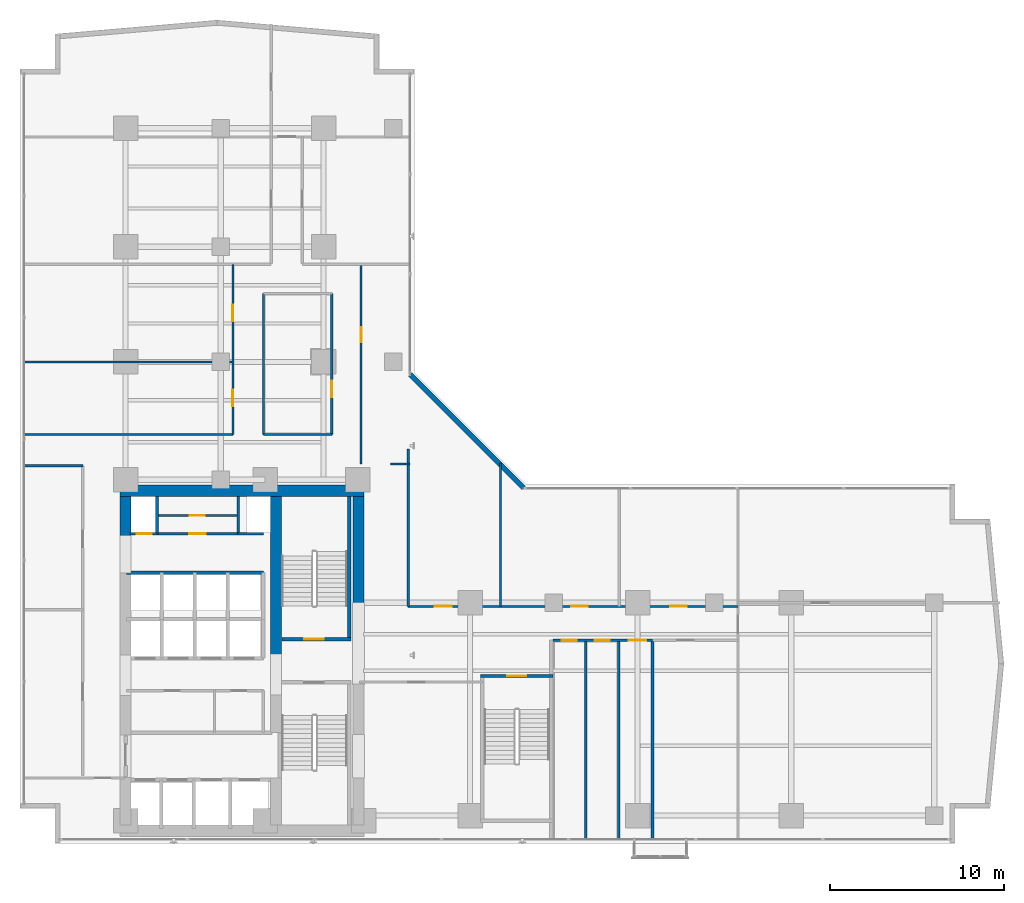
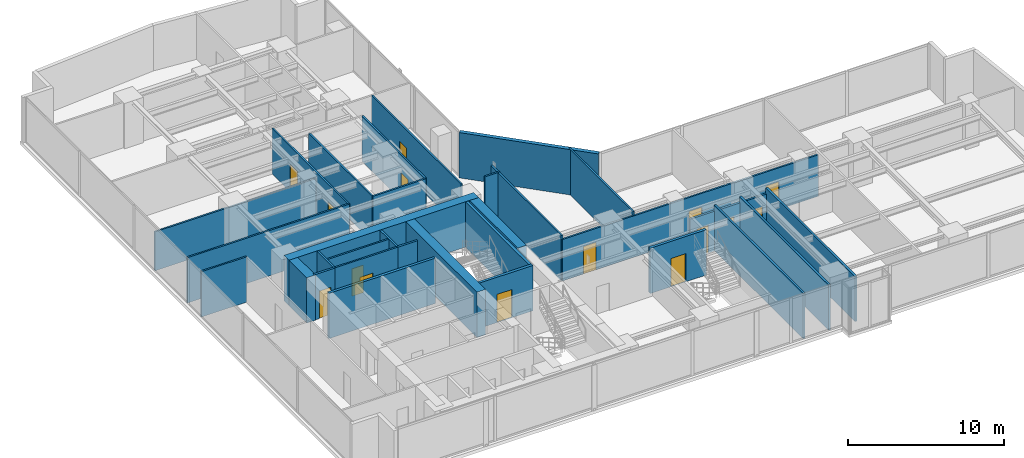
# One storey, part 21 of 27: 31 walls, 15 doors, 15 openings.
"""IFC4 building model written with IfcOpenShell, lengths in metres."""

from ifc_helpers import new_model, si_unit, direction, frame, frame_2d, origin, place, context, subcontext, project, spatial, rectangle, extrude, material, layer, layer_set, type_object, element, fill, save


model = new_model("IFC4")

# Units and contexts
model_context = context("Model", 3, precision=1e-05, world=origin(), true_north=direction((0.0, 1.0)))
body_context = subcontext(model_context, "Body", "Model", "MODEL_VIEW")
ifc_project = project(units=[si_unit("LENGTHUNIT", "METRE"), si_unit("AREAUNIT", "SQUARE_METRE"), si_unit("VOLUMEUNIT", "CUBIC_METRE"), si_unit("PLANEANGLEUNIT", "RADIAN"), si_unit("MASSUNIT", "GRAM", prefix="KILO")], contexts=[model_context])

# Site, building, storey
site_placement = place(None, origin())
site = spatial("IfcSite", under=ifc_project, at=site_placement, CompositionType="ELEMENT")
building_placement = place(site_placement, origin())
building = spatial("IfcBuilding", under=site, at=building_placement, Name="Kolvaren Waterfront Exchange", CompositionType="ELEMENT")
storey_placement = place(building_placement, frame((0.0, 0.0, 118.300048828125)))
storey = spatial("IfcBuildingStorey", under=building, at=storey_placement, Name="L30", CompositionType="ELEMENT", Elevation=118.300048828125)

# Wall
ifc_material_1 = material(Name="Precast concrete C40/50", Category="concrete")
ifc_layer_1 = layer(ifc_material_1, 0.280029296875, Name="Precast concrete C40/50")
ifc_layer_set_1 = layer_set([ifc_layer_1], Name="Precast concrete C40/50")
wall_type_1 = type_object("IfcWallType", Name="ARC-EXT-TERR-280", PredefinedType="SOLIDWALL", material=ifc_layer_set_1)
wall_1_placement = place(storey_placement, frame((30.284912109375, 23.97509765625, 0.0), z_axis=(0.0, 0.0, 1.0), x_axis=(-0.707106781187, 0.707106781187, 0.0)))
element("IfcWall", 1, at=wall_1_placement, inside=storey, type_object=wall_type_1, Name="L30 notched corner spandrel pier ELBOW", PredefinedType="SOLIDWALL", context=body_context, shape_type="SweptSolid", body=[
    extrude(rectangle(XDim=9.20654296875, YDim=0.280029296875, at=frame_2d((4.603271484375, 0.0))), origin(), (0.0, 0.0, 1.0), 3.5400390625),
])

# Wall, opening, door
ifc_layer_2 = layer(ifc_material_1, 0.199951171875, Name="Precast concrete C40/50")
ifc_layer_set_2 = layer_set([ifc_layer_2], Name="Precast concrete C40/50")
wall_type_2 = type_object("IfcWallType", Name="ARC-FIRE-200", PredefinedType="PARTITIONING", material=ifc_layer_set_2)
wall_2_placement = place(storey_placement, frame((16.409912109375, 15.300048828125, 0.0), z_axis=(0.0, 0.0, 1.0), x_axis=(1.0, 0.0, 0.0)))
wall_2 = element("IfcWall", 2, at=wall_2_placement, inside=storey, type_object=wall_type_2, Name="L30 interior wall PW-L30-ST2-THROAT-N", PredefinedType="PARTITIONING", context=body_context, shape_type="SweptSolid", body=[
    extrude(rectangle(XDim=3.9501953125, YDim=0.199951171875, at=frame_2d((1.97509765625, 0.0))), origin(), (0.0, 0.0, 1.0), 3.5400390625),
])
opening_1_placement = place(wall_2_placement, frame((1.293701171875, 0.0, 0.0)))
opening_1 = element("IfcOpeningElement", 3, at=opening_1_placement, cuts=wall_2, Name="Opening FD2", PredefinedType="OPENING", context=body_context, shape_type="SweptSolid", body=[
    extrude(rectangle(XDim=1.10009765625, YDim=2.199951171875, at=frame_2d((0.550048828125, 1.10009765625))), frame((0.0, 0.10986328125, 0.0), z_axis=(0.0, -1.0, 0.0), x_axis=(1.0, 0.0, 0.0)), (0.0, 0.0, 1.0), 0.219970703125),
])
ifc_material_2 = material(Name="Pressed steel smoke-seal fire door", Category="steel")
door_type_1 = type_object("IfcDoorType", Name="ARC-FD-1100", OperationType="NOTDEFINED", PredefinedType="DOOR", material=ifc_material_2)
door_1_placement = place(opening_1_placement, origin())
door_1 = element("IfcDoor", 4, at=door_1_placement, inside=storey, type_object=door_type_1, Name="L30 door DR-L30-ST2-IN (FD2)", OperationType="SINGLE_SWING_RIGHT", OverallHeight=2.199951171875, OverallWidth=1.10009765625, PredefinedType="DOOR", context=body_context, shape_type="SweptSolid", body=[
    extrude(rectangle(XDim=1.10009765625, YDim=2.199951171875, at=frame_2d((0.550048828125, 1.10009765625))), frame((0.0, 0.02490234375, 0.0), z_axis=(0.0, -1.0, 0.0), x_axis=(1.0, 0.0, 0.0)), (0.0, 0.0, 1.0), 0.050048828125),
])
fill(opening_1, door_1)

ifc_material_3 = material(Name="Acoustic gypsum steel stud", Category="steel")
ifc_layer_3 = layer(ifc_material_3, 0.125, Name="Acoustic gypsum steel stud")
ifc_layer_set_3 = layer_set([ifc_layer_3], Name="Acoustic gypsum steel stud")
wall_type_3 = type_object("IfcWallType", Name="ARC-PART-125", PredefinedType="PARTITIONING", material=ifc_layer_set_3)
wall_3_placement = place(storey_placement, frame((9.25, 21.35009765625, 0.0), z_axis=(0.0, 0.0, 1.0), x_axis=(1.0, 0.0, 0.0)))
wall_3 = element("IfcWall", 5, at=wall_3_placement, inside=storey, type_object=wall_type_3, Name="L30 interior wall PW-L30-SVC-EX-S", PredefinedType="PARTITIONING", context=body_context, shape_type="SweptSolid", body=[
    extrude(rectangle(XDim=4.64990234375, YDim=0.125, at=frame_2d((2.324951171875, 0.0))), origin(), (0.0, 0.0, 1.0), 3.5400390625),
])
opening_2_placement = place(wall_3_placement, frame((1.85009765625, 0.0, 0.0)))
opening_2 = element("IfcOpeningElement", 6, at=opening_2_placement, cuts=wall_3, Name="Opening D02", PredefinedType="OPENING", context=body_context, shape_type="SweptSolid", body=[
    extrude(rectangle(XDim=0.949951171875, YDim=2.14990234375, at=frame_2d((0.47509765625, 1.074951171875))), frame((0.0, 0.072509765625, 0.0), z_axis=(0.0, -1.0, 0.0), x_axis=(1.0, 0.0, 0.0)), (0.0, 0.0, 1.0), 0.14501953125),
])
ifc_material_4 = material(Name="Oak veneer acoustic timber", Category="wood")
door_type_2 = type_object("IfcDoorType", Name="ARC-DR-950", OperationType="NOTDEFINED", PredefinedType="DOOR", material=ifc_material_4)
door_2_placement = place(opening_2_placement, origin())
door_2 = element("IfcDoor", 7, at=door_2_placement, inside=storey, type_object=door_type_2, Name="L30 door DR-L30-SVC-DR-1 (D02)", OperationType="SINGLE_SWING_RIGHT", OverallHeight=2.14990234375, OverallWidth=0.949951171875, PredefinedType="DOOR", context=body_context, shape_type="SweptSolid", body=[
    extrude(rectangle(XDim=0.949951171875, YDim=2.14990234375, at=frame_2d((0.47509765625, 1.074951171875))), frame((0.0, 0.02490234375, 0.0), z_axis=(0.0, -1.0, 0.0), x_axis=(1.0, 0.0, 0.0)), (0.0, 0.0, 1.0), 0.050048828125),
])
fill(opening_2, door_2)

wall_4_placement = place(storey_placement, frame((9.25, 22.39990234375, 0.0), z_axis=(0.0, 0.0, 1.0), x_axis=(1.0, 0.0, 0.0)))
wall_4 = element("IfcWall", 8, at=wall_4_placement, inside=storey, type_object=wall_type_3, Name="L30 interior wall PW-L30-SVC-EX-HS", PredefinedType="PARTITIONING", context=body_context, shape_type="SweptSolid", body=[
    extrude(rectangle(XDim=4.64990234375, YDim=0.125, at=frame_2d((2.324951171875, 0.0))), origin(), (0.0, 0.0, 1.0), 3.5400390625),
])
opening_3_placement = place(wall_4_placement, frame((1.875, 0.0, 0.0)))
opening_3 = element("IfcOpeningElement", 9, at=opening_3_placement, cuts=wall_4, Name="Opening D01", PredefinedType="OPENING", context=body_context, shape_type="SweptSolid", body=[
    extrude(rectangle(XDim=0.85009765625, YDim=2.14990234375, at=frame_2d((0.425048828125, 1.074951171875))), frame((0.0, 0.072509765625, 0.0), z_axis=(0.0, -1.0, 0.0), x_axis=(1.0, 0.0, 0.0)), (0.0, 0.0, 1.0), 0.14501953125),
])
ifc_material_5 = material(Name="Oak veneer timber leaf", Category="wood")
door_type_3 = type_object("IfcDoorType", Name="ARC-DR-900", OperationType="NOTDEFINED", PredefinedType="DOOR", material=ifc_material_5)
door_3_placement = place(opening_3_placement, origin())
door_3 = element("IfcDoor", 10, at=door_3_placement, inside=storey, type_object=door_type_3, Name="L30 door DR-L30-SVC-DR-2 (D01)", OperationType="SINGLE_SWING_LEFT", OverallHeight=2.14990234375, OverallWidth=0.85009765625, PredefinedType="DOOR", context=body_context, shape_type="SweptSolid", body=[
    extrude(rectangle(XDim=0.85009765625, YDim=2.14990234375, at=frame_2d((0.425048828125, 1.074951171875))), frame((0.0, 0.02490234375, 0.0), z_axis=(0.0, -1.0, 0.0), x_axis=(1.0, 0.0, 0.0)), (0.0, 0.0, 1.0), 0.050048828125),
])
fill(opening_3, door_3)

# Walls
wall_5_placement = place(storey_placement, frame((15.35009765625, 27.050048828125, 0.0), z_axis=(0.0, 0.0, 1.0), x_axis=(1.0, 0.0, 0.0)))
element("IfcWall", 11, at=wall_5_placement, inside=storey, type_object=wall_type_3, Name="L30 interior wall PW-L30-ISL-S", PredefinedType="PARTITIONING", context=body_context, shape_type="SweptSolid", body=[
    extrude(rectangle(XDim=3.919921875, YDim=0.125, at=frame_2d((1.9599609375, 0.0))), origin(), (0.0, 0.0, 1.0), 3.5400390625),
])
wall_6_placement = place(storey_placement, frame((15.35009765625, 27.050048828125, 0.0), z_axis=(0.0, 0.0, 1.0), x_axis=(0.0, 1.0, 0.0)))
element("IfcWall", 12, at=wall_6_placement, inside=storey, type_object=wall_type_3, Name="L30 interior wall PW-L30-ISL-W", PredefinedType="PARTITIONING", context=body_context, shape_type="SweptSolid", body=[
    extrude(rectangle(XDim=8.070068359375, YDim=0.125, at=frame_2d((4.03515625, 0.0))), origin(), (0.0, 0.0, 1.0), 3.5400390625),
])

# Wall, opening, door
wall_7_placement = place(storey_placement, frame((19.27001953125, 27.050048828125, 0.0), z_axis=(0.0, 0.0, 1.0), x_axis=(0.0, 1.0, 0.0)))
wall_7 = element("IfcWall", 13, at=wall_7_placement, inside=storey, type_object=wall_type_3, Name="L30 interior wall PW-L30-ISL-E", PredefinedType="PARTITIONING", context=body_context, shape_type="SweptSolid", body=[
    extrude(rectangle(XDim=8.070068359375, YDim=0.125, at=frame_2d((4.03515625, 0.0))), origin(), (0.0, 0.0, 1.0), 3.5400390625),
])
opening_4_placement = place(wall_7_placement, frame((2.126708984375, 0.0, 0.0)))
opening_4 = element("IfcOpeningElement", 14, at=opening_4_placement, cuts=wall_7, Name="Opening D02", PredefinedType="OPENING", context=body_context, shape_type="SweptSolid", body=[
    extrude(rectangle(XDim=0.949951171875, YDim=2.14990234375, at=frame_2d((0.47509765625, 1.074951171875))), frame((0.0, 0.072509765625, 0.0), z_axis=(0.0, -1.0, 0.0), x_axis=(1.0, 0.0, 0.0)), (0.0, 0.0, 1.0), 0.14501953125),
])
door_4_placement = place(opening_4_placement, origin())
door_4 = element("IfcDoor", 15, at=door_4_placement, inside=storey, type_object=door_type_2, Name="L30 door DR-L30-ISL-D (D02)", OperationType="SINGLE_SWING_RIGHT", OverallHeight=2.14990234375, OverallWidth=0.949951171875, PredefinedType="DOOR", context=body_context, shape_type="SweptSolid", body=[
    extrude(rectangle(XDim=0.949951171875, YDim=2.14990234375, at=frame_2d((0.47509765625, 1.074951171875))), frame((0.0, 0.02490234375, 0.0), z_axis=(0.0, -1.0, 0.0), x_axis=(1.0, 0.0, 0.0)), (0.0, 0.0, 1.0), 0.050048828125),
])
fill(opening_4, door_4)

# Wall, openings, doors
wall_8_placement = place(storey_placement, frame((13.60009765625, 27.050048828125, 0.0), z_axis=(0.0, 0.0, 1.0), x_axis=(0.0, 1.0, 0.0)))
wall_8 = element("IfcWall", 16, at=wall_8_placement, inside=storey, type_object=wall_type_3, Name="L30 interior wall PW-L30-MWL-E", PredefinedType="PARTITIONING", context=body_context, shape_type="SweptSolid", body=[
    extrude(rectangle(XDim=9.75, YDim=0.125, at=frame_2d((4.875, 0.0))), origin(), (0.0, 0.0, 1.0), 3.5400390625),
])
opening_5_placement = place(wall_8_placement, frame((1.60009765625, 0.0, 0.0)))
opening_5 = element("IfcOpeningElement", 17, at=opening_5_placement, cuts=wall_8, Name="Opening D02", PredefinedType="OPENING", context=body_context, shape_type="SweptSolid", body=[
    extrude(rectangle(XDim=0.949951171875, YDim=2.14990234375, at=frame_2d((0.47509765625, 1.074951171875))), frame((0.0, 0.072509765625, 0.0), z_axis=(0.0, -1.0, 0.0), x_axis=(1.0, 0.0, 0.0)), (0.0, 0.0, 1.0), 0.14501953125),
])
opening_6_placement = place(wall_8_placement, frame((6.47509765625, 0.0, 0.0)))
opening_6 = element("IfcOpeningElement", 18, at=opening_6_placement, cuts=wall_8, Name="Opening D02", PredefinedType="OPENING", context=body_context, shape_type="SweptSolid", body=[
    extrude(rectangle(XDim=0.949951171875, YDim=2.14990234375, at=frame_2d((0.47509765625, 1.074951171875))), frame((0.0, 0.072509765625, 0.0), z_axis=(0.0, -1.0, 0.0), x_axis=(1.0, 0.0, 0.0)), (0.0, 0.0, 1.0), 0.14501953125),
])
door_5_placement = place(opening_5_placement, origin())
door_5 = element("IfcDoor", 19, at=door_5_placement, inside=storey, type_object=door_type_2, Name="L30 door DR-L30-MWL1A-D (D02)", OperationType="SINGLE_SWING_RIGHT", OverallHeight=2.14990234375, OverallWidth=0.949951171875, PredefinedType="DOOR", context=body_context, shape_type="SweptSolid", body=[
    extrude(rectangle(XDim=0.949951171875, YDim=2.14990234375, at=frame_2d((0.47509765625, 1.074951171875))), frame((0.0, 0.02490234375, 0.0), z_axis=(0.0, -1.0, 0.0), x_axis=(1.0, 0.0, 0.0)), (0.0, 0.0, 1.0), 0.050048828125),
])
fill(opening_5, door_5)
door_6_placement = place(opening_6_placement, origin())
door_6 = element("IfcDoor", 20, at=door_6_placement, inside=storey, type_object=door_type_2, Name="L30 door DR-L30-MWL1B-D (D02)", OperationType="SINGLE_SWING_LEFT", OverallHeight=2.14990234375, OverallWidth=0.949951171875, PredefinedType="DOOR", context=body_context, shape_type="SweptSolid", body=[
    extrude(rectangle(XDim=0.949951171875, YDim=2.14990234375, at=frame_2d((0.47509765625, 1.074951171875))), frame((0.0, 0.02490234375, 0.0), z_axis=(0.0, -1.0, 0.0), x_axis=(1.0, 0.0, 0.0)), (0.0, 0.0, 1.0), 0.050048828125),
])
fill(opening_6, door_6)

# Walls
wall_9_placement = place(storey_placement, frame((1.639892578125, 27.050048828125, 0.0), z_axis=(0.0, 0.0, 1.0), x_axis=(1.0, 0.0, 0.0)))
element("IfcWall", 21, at=wall_9_placement, inside=storey, type_object=wall_type_3, Name="L30 interior wall PW-L30-MWL-S", PredefinedType="PARTITIONING", context=body_context, shape_type="SweptSolid", body=[
    extrude(rectangle(XDim=11.960205078125, YDim=0.125, at=frame_2d((5.97998046875, 0.0))), origin(), (0.0, 0.0, 1.0), 3.5400390625),
])
wall_10_placement = place(storey_placement, frame((1.639892578125, 31.199951171875, 0.0), z_axis=(0.0, 0.0, 1.0), x_axis=(1.0, 0.0, 0.0)))
element("IfcWall", 22, at=wall_10_placement, inside=storey, type_object=wall_type_3, Name="L30 interior wall PW-L30-MWL-M", PredefinedType="PARTITIONING", context=body_context, shape_type="SweptSolid", body=[
    extrude(rectangle(XDim=11.960205078125, YDim=0.125, at=frame_2d((5.97998046875, 0.0))), origin(), (0.0, 0.0, 1.0), 3.0400390625),
])
wall_11_placement = place(storey_placement, frame((1.639892578125, 25.25, 0.0), z_axis=(0.0, 0.0, 1.0), x_axis=(1.0, 0.0, 0.0)))
element("IfcWall", 23, at=wall_11_placement, inside=storey, type_object=wall_type_3, Name="L30 interior wall PW-L30-WFLANK-N", PredefinedType="PARTITIONING", context=body_context, shape_type="SweptSolid", body=[
    extrude(rectangle(XDim=3.360107421875, YDim=0.125, at=frame_2d((1.68017578125, 0.0))), origin(), (0.0, 0.0, 1.0), 3.5400390625),
])

# Wall, opening, door
wall_12_placement = place(storey_placement, frame((20.949951171875, 25.35009765625, 0.0), z_axis=(0.0, 0.0, 1.0), x_axis=(0.0, 1.0, 0.0)))
wall_12 = element("IfcWall", 24, at=wall_12_placement, inside=storey, type_object=wall_type_3, Name="L30 interior wall PW-L30-RFLANK-W", PredefinedType="PARTITIONING", context=body_context, shape_type="SweptSolid", body=[
    extrude(rectangle(XDim=11.449951171875, YDim=0.125, at=frame_2d((5.72509765625, 0.0))), origin(), (0.0, 0.0, 1.0), 3.5400390625),
])
opening_7_placement = place(wall_12_placement, frame((6.976806640625, 0.0, 0.0)))
opening_7 = element("IfcOpeningElement", 25, at=opening_7_placement, cuts=wall_12, Name="Opening D01", PredefinedType="OPENING", context=body_context, shape_type="SweptSolid", body=[
    extrude(rectangle(XDim=0.85009765625, YDim=2.14990234375, at=frame_2d((0.425048828125, 1.074951171875))), frame((0.0, 0.072509765625, 0.0), z_axis=(0.0, -1.0, 0.0), x_axis=(1.0, 0.0, 0.0)), (0.0, 0.0, 1.0), 0.14501953125),
])
door_7_placement = place(opening_7_placement, origin())
door_7 = element("IfcDoor", 26, at=door_7_placement, inside=storey, type_object=door_type_3, Name="L30 door DR-L30-RFLANK-D (D01)", OperationType="SINGLE_SWING_RIGHT", OverallHeight=2.14990234375, OverallWidth=0.85009765625, PredefinedType="DOOR", context=body_context, shape_type="SweptSolid", body=[
    extrude(rectangle(XDim=0.85009765625, YDim=2.14990234375, at=frame_2d((0.425048828125, 1.074951171875))), frame((0.0, 0.02490234375, 0.0), z_axis=(0.0, -1.0, 0.0), x_axis=(1.0, 0.0, 0.0)), (0.0, 0.0, 1.0), 0.050048828125),
])
fill(opening_7, door_7)

# Walls
wall_13_placement = place(storey_placement, frame((22.64990234375, 25.35009765625, 0.0), z_axis=(0.0, 0.0, 1.0), x_axis=(1.0, 0.0, 0.0)))
element("IfcWall", 27, at=wall_13_placement, inside=storey, type_object=wall_type_3, Name="L30 interior wall PW-L30-RFLANK-S", PredefinedType="PARTITIONING", context=body_context, shape_type="SweptSolid", body=[
    extrude(rectangle(XDim=1.110107421875, YDim=0.125, at=frame_2d((0.55517578125, 0.0))), origin(), (0.0, 0.0, 1.0), 3.5400390625),
])
wall_14_placement = place(storey_placement, frame((23.64990234375, 17.18994140625, 0.0), z_axis=(0.0, 0.0, 1.0), x_axis=(0.0, 1.0, 0.0)))
element("IfcWall", 28, at=wall_14_placement, inside=storey, type_object=wall_type_3, Name="L30 interior wall PW-L30-EN-W0", PredefinedType="PARTITIONING", context=body_context, shape_type="SweptSolid", body=[
    extrude(rectangle(XDim=9.010009765625, YDim=0.125, at=frame_2d((4.5048828125, 0.0))), origin(), (0.0, 0.0, 1.0), 3.5400390625),
])

# Wall, openings, doors
wall_15_placement = place(storey_placement, frame((23.64990234375, 17.18994140625, 0.0), z_axis=(0.0, 0.0, 1.0), x_axis=(1.0, 0.0, 0.0)))
wall_15 = element("IfcWall", 29, at=wall_15_placement, inside=storey, type_object=wall_type_3, Name="L30 interior wall PW-L30-EN-CORR", PredefinedType="PARTITIONING", context=body_context, shape_type="SweptSolid", body=[
    extrude(rectangle(XDim=18.900146484375, YDim=0.125, at=frame_2d((9.4501953125, 0.0))), origin(), (0.0, 0.0, 1.0), 3.239990234375),
])
opening_8_placement = place(wall_15_placement, frame((1.53271484375, 0.0, 0.0)))
opening_8 = element("IfcOpeningElement", 30, at=opening_8_placement, cuts=wall_15, Name="Opening D02", PredefinedType="OPENING", context=body_context, shape_type="SweptSolid", body=[
    extrude(rectangle(XDim=0.949951171875, YDim=2.14990234375, at=frame_2d((0.47509765625, 1.074951171875))), frame((0.0, 0.072509765625, 0.0), z_axis=(0.0, -1.0, 0.0), x_axis=(1.0, 0.0, 0.0)), (0.0, 0.0, 1.0), 0.14501953125),
])
opening_9_placement = place(wall_15_placement, frame((9.344482421875, 0.0, 0.0)))
opening_9 = element("IfcOpeningElement", 31, at=opening_9_placement, cuts=wall_15, Name="Opening D02", PredefinedType="OPENING", context=body_context, shape_type="SweptSolid", body=[
    extrude(rectangle(XDim=0.949951171875, YDim=2.14990234375, at=frame_2d((0.47509765625, 1.074951171875))), frame((0.0, 0.072509765625, 0.0), z_axis=(0.0, -1.0, 0.0), x_axis=(1.0, 0.0, 0.0)), (0.0, 0.0, 1.0), 0.14501953125),
])
opening_10_placement = place(wall_15_placement, frame((15.02490234375, 0.0, 0.0)))
opening_10 = element("IfcOpeningElement", 32, at=opening_10_placement, cuts=wall_15, Name="Opening D02", PredefinedType="OPENING", context=body_context, shape_type="SweptSolid", body=[
    extrude(rectangle(XDim=0.949951171875, YDim=2.14990234375, at=frame_2d((0.47509765625, 1.074951171875))), frame((0.0, 0.072509765625, 0.0), z_axis=(0.0, -1.0, 0.0), x_axis=(1.0, 0.0, 0.0)), (0.0, 0.0, 1.0), 0.14501953125),
])
door_8_placement = place(opening_8_placement, origin())
door_8 = element("IfcDoor", 33, at=door_8_placement, inside=storey, type_object=door_type_2, Name="L30 door DR-L30-EN-D-1 (D02)", OperationType="SINGLE_SWING_RIGHT", OverallHeight=2.14990234375, OverallWidth=0.949951171875, PredefinedType="DOOR", context=body_context, shape_type="SweptSolid", body=[
    extrude(rectangle(XDim=0.949951171875, YDim=2.14990234375, at=frame_2d((0.47509765625, 1.074951171875))), frame((0.0, 0.02490234375, 0.0), z_axis=(0.0, -1.0, 0.0), x_axis=(1.0, 0.0, 0.0)), (0.0, 0.0, 1.0), 0.050048828125),
])
fill(opening_8, door_8)
door_9_placement = place(opening_9_placement, origin())
door_9 = element("IfcDoor", 34, at=door_9_placement, inside=storey, type_object=door_type_2, Name="L30 door DR-L30-EN-D-2 (D02)", OperationType="SINGLE_SWING_LEFT", OverallHeight=2.14990234375, OverallWidth=0.949951171875, PredefinedType="DOOR", context=body_context, shape_type="SweptSolid", body=[
    extrude(rectangle(XDim=0.949951171875, YDim=2.14990234375, at=frame_2d((0.47509765625, 1.074951171875))), frame((0.0, 0.02490234375, 0.0), z_axis=(0.0, -1.0, 0.0), x_axis=(1.0, 0.0, 0.0)), (0.0, 0.0, 1.0), 0.050048828125),
])
fill(opening_9, door_9)
door_10_placement = place(opening_10_placement, origin())
door_10 = element("IfcDoor", 35, at=door_10_placement, inside=storey, type_object=door_type_2, Name="L30 door DR-L30-EN-D-3 (D02)", OperationType="SINGLE_SWING_RIGHT", OverallHeight=2.14990234375, OverallWidth=0.949951171875, PredefinedType="DOOR", context=body_context, shape_type="SweptSolid", body=[
    extrude(rectangle(XDim=0.949951171875, YDim=2.14990234375, at=frame_2d((0.47509765625, 1.074951171875))), frame((0.0, 0.02490234375, 0.0), z_axis=(0.0, -1.0, 0.0), x_axis=(1.0, 0.0, 0.0)), (0.0, 0.0, 1.0), 0.050048828125),
])
fill(opening_10, door_10)

# Walls
wall_16_placement = place(storey_placement, frame((28.93994140625, 17.18994140625, 0.0), z_axis=(0.0, 0.0, 1.0), x_axis=(0.0, 1.0, 0.0)))
element("IfcWall", 36, at=wall_16_placement, inside=storey, type_object=wall_type_3, Name="L30 interior wall PW-L30-EN-DIV-1", PredefinedType="PARTITIONING", context=body_context, shape_type="SweptSolid", body=[
    extrude(rectangle(XDim=8.22998046875, YDim=0.125, at=frame_2d((4.114990234375, 0.0))), origin(), (0.0, 0.0, 1.0), 3.5400390625),
])
ifc_material_6 = material(Name="Gypsum fireboard steel stud", Category="steel")
ifc_layer_4 = layer(ifc_material_6, 0.14990234375, Name="Gypsum fireboard steel stud")
ifc_layer_set_4 = layer_set([ifc_layer_4], Name="Gypsum fireboard steel stud")
wall_type_4 = type_object("IfcWallType", Name="ARC-PART-150", PredefinedType="PARTITIONING", material=ifc_layer_set_4)
for number, where, z_axis, x_axis, name in (
    (37, (9.25, 21.35009765625, 0.0), (0.0, 0.0, 1.0), (0.0, 1.0, 0.0), "L30 interior wall PW-L30-SVC-R1"),
    (38, (13.89990234375, 21.35009765625, 0.0), (0.0, 0.0, 1.0), (0.0, 1.0, 0.0), "L30 interior wall PW-L30-SVC-R2"),
):
    element("IfcWall", number, at=place(storey_placement, frame(where, z_axis=z_axis, x_axis=x_axis)), inside=storey, type_object=wall_type_4, Name=name, PredefinedType="PARTITIONING", context=body_context, shape_type="SweptSolid", body=[
        extrude(rectangle(XDim=2.1298828125, YDim=0.14990234375, at=frame_2d((1.06494140625, 0.0))), origin(), (0.0, 0.0, 1.0), 3.5400390625),
    ])

# Wall, opening, door
wall_17_placement = place(storey_placement, frame((7.699951171875, 21.35009765625, 0.0), z_axis=(0.0, 0.0, 1.0), x_axis=(1.0, 0.0, 0.0)))
wall_17 = element("IfcWall", 39, at=wall_17_placement, inside=storey, type_object=wall_type_4, Name="L30 interior wall PW-L30-SVC-RE-S", PredefinedType="PARTITIONING", context=body_context, shape_type="SweptSolid", body=[
    extrude(rectangle(XDim=1.550048828125, YDim=0.14990234375, at=frame_2d((0.77490234375, 0.0))), origin(), (0.0, 0.0, 1.0), 3.5400390625),
])
opening_11_placement = place(wall_17_placement, frame((0.389892578125, 0.0, 0.0)))
opening_11 = element("IfcOpeningElement", 40, at=opening_11_placement, cuts=wall_17, Name="Opening FD1", PredefinedType="OPENING", context=body_context, shape_type="SweptSolid", body=[
    extrude(rectangle(XDim=0.85009765625, YDim=2.14990234375, at=frame_2d((0.425048828125, 1.074951171875))), frame((0.0, 0.0849609375, 0.0), z_axis=(0.0, -1.0, 0.0), x_axis=(1.0, 0.0, 0.0)), (0.0, 0.0, 1.0), 0.169921875),
])
ifc_material_7 = material(Name="Pressed steel fire leaf", Category="steel")
door_type_4 = type_object("IfcDoorType", Name="ARC-FD-900", OperationType="NOTDEFINED", PredefinedType="DOOR", material=ifc_material_7)
door_11_placement = place(opening_11_placement, origin())
door_11 = element("IfcDoor", 41, at=door_11_placement, inside=storey, type_object=door_type_4, Name="L30 door DR-L30-RISER-E-DR (FD1)", OperationType="SINGLE_SWING_LEFT", OverallHeight=2.14990234375, OverallWidth=0.85009765625, PredefinedType="DOOR", context=body_context, shape_type="SweptSolid", body=[
    extrude(rectangle(XDim=0.85009765625, YDim=2.14990234375, at=frame_2d((0.425048828125, 1.074951171875))), frame((0.0, 0.02490234375, 0.0), z_axis=(0.0, -1.0, 0.0), x_axis=(1.0, 0.0, 0.0)), (0.0, 0.0, 1.0), 0.050048828125),
])
fill(opening_11, door_11)

# Wall
wall_18_placement = place(storey_placement, frame((13.89990234375, 21.35009765625, 0.0), z_axis=(0.0, 0.0, 1.0), x_axis=(1.0, 0.0, 0.0)))
element("IfcWall", 42, at=wall_18_placement, inside=storey, type_object=wall_type_4, Name="L30 interior wall PW-L30-SVC-RP-S", PredefinedType="PARTITIONING", context=body_context, shape_type="SweptSolid", body=[
    extrude(rectangle(XDim=1.4501953125, YDim=0.14990234375, at=frame_2d((0.72509765625, 0.0))), origin(), (0.0, 0.0, 1.0), 3.5400390625),
])

# Wall, openings, doors
ifc_material_8 = material(Name="Moisture-resistant gypsum stud")
ifc_layer_5 = layer(ifc_material_8, 0.14990234375, Name="Moisture-resistant gypsum stud")
ifc_layer_set_5 = layer_set([ifc_layer_5], Name="Moisture-resistant gypsum stud")
wall_type_5 = type_object("IfcWallType", Name="ARC-PLUMB-150", PredefinedType="PLUMBINGWALL", material=ifc_layer_set_5)
wall_19_placement = place(storey_placement, frame((31.949951171875, 15.25, 0.0), z_axis=(0.0, 0.0, 1.0), x_axis=(1.0, 0.0, 0.0)))
wall_19 = element("IfcWall", 43, at=wall_19_placement, inside=storey, type_object=wall_type_5, Name="L30 interior wall PW-L30-WC-N", PredefinedType="PLUMBINGWALL", context=body_context, shape_type="SweptSolid", body=[
    extrude(rectangle(XDim=5.699951171875, YDim=0.14990234375, at=frame_2d((2.85009765625, 0.0))), origin(), (0.0, 0.0, 1.0), 3.08984375),
])
opening_12_placement = place(wall_19_placement, frame((0.514892578125, 0.0, 0.0)))
opening_12 = element("IfcOpeningElement", 44, at=opening_12_placement, cuts=wall_19, Name="Opening D01", PredefinedType="OPENING", context=body_context, shape_type="SweptSolid", body=[
    extrude(rectangle(XDim=0.85009765625, YDim=2.14990234375, at=frame_2d((0.425048828125, 1.074951171875))), frame((0.0, 0.0849609375, 0.0), z_axis=(0.0, -1.0, 0.0), x_axis=(1.0, 0.0, 0.0)), (0.0, 0.0, 1.0), 0.169921875),
])
opening_13_placement = place(wall_19_placement, frame((2.39501953125, 0.0, 0.0)))
opening_13 = element("IfcOpeningElement", 45, at=opening_13_placement, cuts=wall_19, Name="Opening D01", PredefinedType="OPENING", context=body_context, shape_type="SweptSolid", body=[
    extrude(rectangle(XDim=0.85009765625, YDim=2.14990234375, at=frame_2d((0.425048828125, 1.074951171875))), frame((0.0, 0.0849609375, 0.0), z_axis=(0.0, -1.0, 0.0), x_axis=(1.0, 0.0, 0.0)), (0.0, 0.0, 1.0), 0.169921875),
])
opening_14_placement = place(wall_19_placement, frame((4.35009765625, 0.0, 0.0)))
opening_14 = element("IfcOpeningElement", 46, at=opening_14_placement, cuts=wall_19, Name="Opening D03", PredefinedType="OPENING", context=body_context, shape_type="SweptSolid", body=[
    extrude(rectangle(XDim=1.0, YDim=2.199951171875, at=frame_2d((0.5, 1.10009765625))), frame((0.0, 0.0849609375, 0.0), z_axis=(0.0, -1.0, 0.0), x_axis=(1.0, 0.0, 0.0)), (0.0, 0.0, 1.0), 0.169921875),
])
ifc_material_9 = material(Name="Oak veneer accessible timber", Category="wood")
door_type_5 = type_object("IfcDoorType", Name="ARC-DR-1000", OperationType="NOTDEFINED", PredefinedType="DOOR", material=ifc_material_9)
door_12_placement = place(opening_14_placement, origin())
door_12 = element("IfcDoor", 47, at=door_12_placement, inside=storey, type_object=door_type_5, Name="L30 door DR-L30-WCA-D (D03)", OperationType="SINGLE_SWING_LEFT", OverallHeight=2.199951171875, OverallWidth=1.0, PredefinedType="DOOR", context=body_context, shape_type="SweptSolid", body=[
    extrude(rectangle(XDim=1.0, YDim=2.199951171875, at=frame_2d((0.5, 1.10009765625))), frame((0.0, 0.02490234375, 0.0), z_axis=(0.0, -1.0, 0.0), x_axis=(1.0, 0.0, 0.0)), (0.0, 0.0, 1.0), 0.050048828125),
])
fill(opening_14, door_12)
door_13_placement = place(opening_12_placement, origin())
door_13 = element("IfcDoor", 48, at=door_13_placement, inside=storey, type_object=door_type_3, Name="L30 door DR-L30-WCM-D (D01)", OperationType="SINGLE_SWING_LEFT", OverallHeight=2.14990234375, OverallWidth=0.85009765625, PredefinedType="DOOR", context=body_context, shape_type="SweptSolid", body=[
    extrude(rectangle(XDim=0.85009765625, YDim=2.14990234375, at=frame_2d((0.425048828125, 1.074951171875))), frame((0.0, 0.02490234375, 0.0), z_axis=(0.0, -1.0, 0.0), x_axis=(1.0, 0.0, 0.0)), (0.0, 0.0, 1.0), 0.050048828125),
])
fill(opening_12, door_13)
door_14_placement = place(opening_13_placement, origin())
door_14 = element("IfcDoor", 49, at=door_14_placement, inside=storey, type_object=door_type_3, Name="L30 door DR-L30-WCF-D (D01)", OperationType="SINGLE_SWING_RIGHT", OverallHeight=2.14990234375, OverallWidth=0.85009765625, PredefinedType="DOOR", context=body_context, shape_type="SweptSolid", body=[
    extrude(rectangle(XDim=0.85009765625, YDim=2.14990234375, at=frame_2d((0.425048828125, 1.074951171875))), frame((0.0, 0.02490234375, 0.0), z_axis=(0.0, -1.0, 0.0), x_axis=(1.0, 0.0, 0.0)), (0.0, 0.0, 1.0), 0.050048828125),
])
fill(opening_13, door_14)

# Walls
for number, where, z_axis, x_axis, name in (
    (50, (33.830078125, 3.840087890625, 0.0), (0.0, 0.0, 1.0), (0.0, 1.0, 0.0), "L30 interior wall PW-L30-WC-1"),
    (51, (35.7099609375, 3.840087890625, 0.0), (0.0, 0.0, 1.0), (0.0, 1.0, 0.0), "L30 interior wall PW-L30-WC-2"),
    (52, (37.64990234375, 3.840087890625, 0.0), (0.0, 0.0, 1.0), (0.0, 1.0, 0.0), "L30 interior wall PW-L30-WC-3"),
):
    element("IfcWall", number, at=place(storey_placement, frame(where, z_axis=z_axis, x_axis=x_axis)), inside=storey, type_object=wall_type_5, Name=name, PredefinedType="PLUMBINGWALL", context=body_context, shape_type="SweptSolid", body=[
        extrude(rectangle(XDim=11.409912109375, YDim=0.14990234375, at=frame_2d((5.705078125, 0.0))), origin(), (0.0, 0.0, 1.0), 3.5400390625),
    ])
ifc_material_10 = material(Name="Concrete C40/50", Category="concrete")
ifc_layer_6 = layer(ifc_material_10, 0.199951171875, Name="Concrete C40/50")
ifc_layer_set_6 = layer_set([ifc_layer_6], Name="Concrete C40/50")
wall_type_6 = type_object("IfcWallType", Name="ARC-SHAFT-200", PredefinedType="PARTITIONING", material=ifc_layer_set_6)
wall_20_placement = place(storey_placement, frame((20.260009765625, 15.39990234375, 0.0), z_axis=(0.0, 0.0, 1.0), x_axis=(0.0, 1.0, 0.0)))
element("IfcWall", 53, at=wall_20_placement, inside=storey, type_object=wall_type_6, Name="L30 structural stairwell wall PW-L30-ST2-E", PredefinedType="SHEAR", context=body_context, shape_type="SweptSolid", body=[
    extrude(rectangle(XDim=8.090087890625, YDim=0.199951171875, at=frame_2d((4.044921875, 0.0))), origin(), (0.0, 0.0, 1.0), 3.5400390625),
])

# Wall, opening, door
wall_21_placement = place(storey_placement, frame((27.800048828125, 13.199951171875, 0.0), z_axis=(0.0, 0.0, 1.0), x_axis=(1.0, 0.0, 0.0)))
wall_21 = element("IfcWall", 54, at=wall_21_placement, inside=storey, type_object=wall_type_6, Name="L30 structural stairwell wall PW-L30-ST3-N", PredefinedType="SHEAR", context=body_context, shape_type="SweptSolid", body=[
    extrude(rectangle(XDim=4.159912109375, YDim=0.199951171875, at=frame_2d((2.080078125, 0.0))), origin(), (0.0, 0.0, 1.0), 3.5400390625),
])
opening_15_placement = place(wall_21_placement, frame((1.530029296875, 0.0, 0.0)))
opening_15 = element("IfcOpeningElement", 55, at=opening_15_placement, cuts=wall_21, Name="Opening FD2", PredefinedType="OPENING", context=body_context, shape_type="SweptSolid", body=[
    extrude(rectangle(XDim=1.10009765625, YDim=2.199951171875, at=frame_2d((0.550048828125, 1.10009765625))), frame((0.0, 0.10986328125, 0.0), z_axis=(0.0, -1.0, 0.0), x_axis=(1.0, 0.0, 0.0)), (0.0, 0.0, 1.0), 0.219970703125),
])
door_15_placement = place(opening_15_placement, frame((1.10009765625, 0.0, 0.0), z_axis=(0.0, 0.0, 1.0), x_axis=(-1.0, 0.0, 0.0)))
door_15 = element("IfcDoor", 56, at=door_15_placement, inside=storey, type_object=door_type_1, Name="L30 door DR-L30-ST3-IN (FD2)", OperationType="SINGLE_SWING_LEFT", OverallHeight=2.199951171875, OverallWidth=1.10009765625, PredefinedType="DOOR", context=body_context, shape_type="SweptSolid", body=[
    extrude(rectangle(XDim=1.10009765625, YDim=2.199951171875, at=frame_2d((0.550048828125, 1.10009765625))), frame((0.0, 0.02490234375, 0.0), z_axis=(0.0, -1.0, 0.0), x_axis=(1.0, 0.0, 0.0)), (0.0, 0.0, 1.0), 0.050048828125),
])
fill(opening_15, door_15)

# Walls
wall_22_placement = place(storey_placement, frame((7.5, 19.1201171875, 0.0), z_axis=(0.0, 0.0, 1.0), x_axis=(1.0, 0.0, 0.0)))
element("IfcWall", 57, at=wall_22_placement, inside=storey, type_object=wall_type_6, Name="L30 interior wall PW-L30-PH-N", PredefinedType="PARTITIONING", context=body_context, shape_type="SweptSolid", body=[
    extrude(rectangle(XDim=7.85009765625, YDim=0.199951171875, at=frame_2d((3.925048828125, 0.0))), origin(), (0.0, 0.0, 1.0), 3.5400390625),
])
ifc_material_11 = material(Name="Concrete C60/75", Category="concrete")
ifc_layer_7 = layer(ifc_material_11, 0.64990234375, Name="Concrete C60/75")
ifc_layer_set_7 = layer_set([ifc_layer_7], Name="Concrete C60/75")
wall_type_7 = type_object("IfcWallType", Name="STR-CWALL-650", PredefinedType="SHEAR", material=ifc_layer_set_7)
wall_23_placement = place(storey_placement, frame((7.125, 23.824951171875, 0.0), z_axis=(0.0, 0.0, 1.0), x_axis=(1.0, 0.0, 0.0)))
element("IfcWall", 58, at=wall_23_placement, inside=storey, type_object=wall_type_7, Name="L30 rear-core shear wall N", PredefinedType="SHEAR", context=body_context, shape_type="SweptSolid", body=[
    extrude(rectangle(XDim=14.0, YDim=0.64990234375, at=frame_2d((7.0, 0.0))), origin(), (0.0, 0.0, 1.0), 3.5400390625),
])
wall_24_placement = place(storey_placement, frame((7.449951171875, 21.239990234375, 0.0), z_axis=(0.0, 0.0, 1.0), x_axis=(0.0, 1.0, 0.0)))
element("IfcWall", 59, at=wall_24_placement, inside=storey, type_object=wall_type_7, Name="L30 rear-core shear wall W3", PredefinedType="SHEAR", context=body_context, shape_type="SweptSolid", body=[
    extrude(rectangle(XDim=2.260009765625, YDim=0.64990234375, at=frame_2d((1.1298828125, 0.0))), origin(), (0.0, 0.0, 1.0), 3.5400390625),
])
wall_25_placement = place(storey_placement, frame((20.800048828125, 17.35009765625, 0.0), z_axis=(0.0, 0.0, 1.0), x_axis=(0.0, 1.0, 0.0)))
element("IfcWall", 60, at=wall_25_placement, inside=storey, type_object=wall_type_7, Name="L30 rear-core shear wall E3", PredefinedType="SHEAR", context=body_context, shape_type="SweptSolid", body=[
    extrude(rectangle(XDim=6.14990234375, YDim=0.64990234375, at=frame_2d((3.074951171875, 0.0))), origin(), (0.0, 0.0, 1.0), 3.5400390625),
])
wall_26_placement = place(storey_placement, frame((16.074951171875, 14.39990234375, 0.0), z_axis=(0.0, 0.0, 1.0), x_axis=(0.0, 1.0, 0.0)))
element("IfcWall", 61, at=wall_26_placement, inside=storey, type_object=wall_type_7, Name="L30 rear-core shear wall M3", PredefinedType="SHEAR", context=body_context, shape_type="SweptSolid", body=[
    extrude(rectangle(XDim=9.10009765625, YDim=0.64990234375, at=frame_2d((4.550048828125, 0.0))), origin(), (0.0, 0.0, 1.0), 3.5400390625),
])

save(model, "model.ifc")
